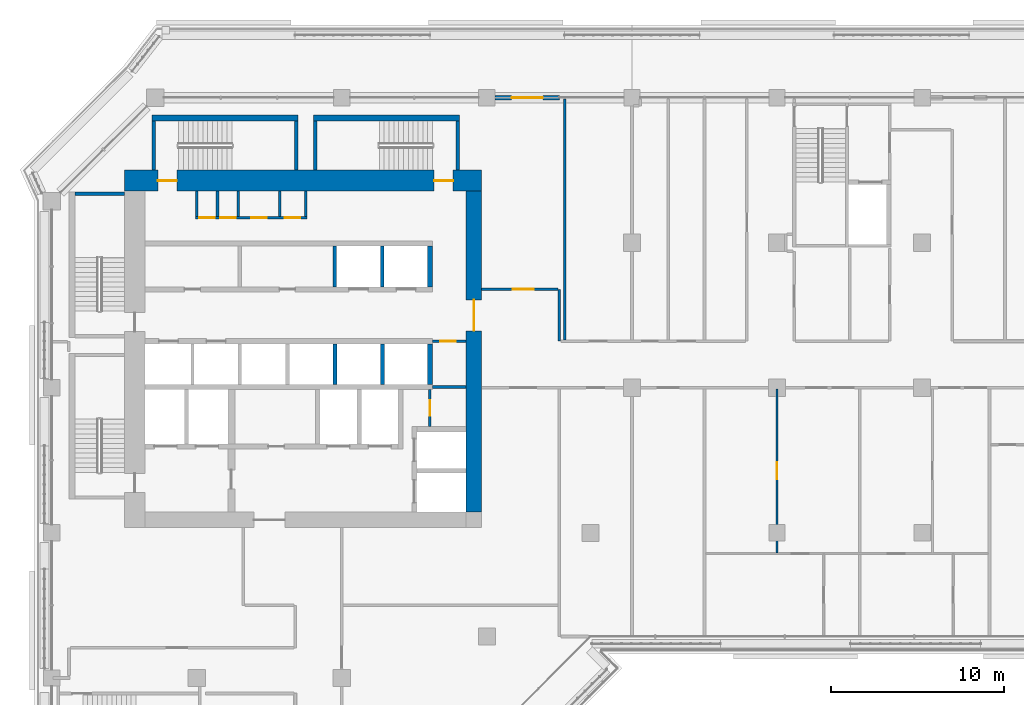
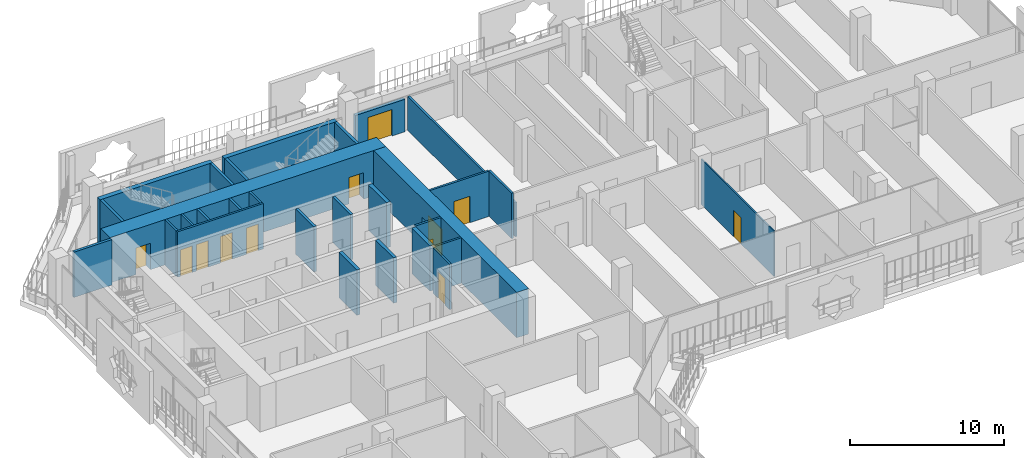
# One storey, part 12 of 22: 29 walls, 12 doors, 12 openings.
"""IFC4 building model written with IfcOpenShell, lengths in metres."""

from ifc_helpers import new_model, si_unit, direction, frame, frame_2d, origin, place, context, subcontext, project, spatial, rectangle, extrude, material, layer, layer_set, type_object, element, fill, save


model = new_model("IFC4")

# Units and contexts
model_context = context("Model", 3, precision=1e-05, world=origin(), true_north=direction((0.0, 1.0)))
body_context = subcontext(model_context, "Body", "Model", "MODEL_VIEW")
ifc_project = project(units=[si_unit("LENGTHUNIT", "METRE"), si_unit("AREAUNIT", "SQUARE_METRE"), si_unit("VOLUMEUNIT", "CUBIC_METRE"), si_unit("PLANEANGLEUNIT", "RADIAN"), si_unit("MASSUNIT", "GRAM", prefix="KILO")], contexts=[model_context])

# Site, building, storey
site_placement = place(None, origin())
site = spatial("IfcSite", under=ifc_project, at=site_placement, CompositionType="ELEMENT")
building_placement = place(site_placement, origin())
building = spatial("IfcBuilding", under=site, at=building_placement, Name="Kawkab Arch Medical Tower", CompositionType="ELEMENT")
storey_placement = place(building_placement, frame((0.0, 0.0, 183.60009765625)))
storey = spatial("IfcBuildingStorey", under=building, at=storey_placement, Name="L42", CompositionType="ELEMENT", Elevation=183.60009765625)

# Wall, openings, doors
ifc_material_1 = material(Name="Concrete C55/67", Category="concrete")
ifc_layer_1 = layer(ifc_material_1, 1.199951171875)
ifc_layer_set_1 = layer_set([ifc_layer_1], Name="Concrete C55/67")
wall_type_1 = type_object("IfcWallType", Name="Core ring wall 1200 C55/67", PredefinedType="SHEAR", material=ifc_layer_set_1)
wall_1_placement = place(storey_placement, frame((4.199951171875, -4.800048828125, 0.0), z_axis=(0.0, 0.0, 1.0), x_axis=(1.0, 0.0, 0.0)))
wall_1 = element("IfcWall", 1, at=wall_1_placement, inside=storey, type_object=wall_type_1, Name="L42 core wall", PredefinedType="SHEAR", context=body_context, shape_type="SweptSolid", body=[
    extrude(rectangle(XDim=20.699951171875, YDim=1.199951171875, at=frame_2d((10.35009765625, 0.0))), origin(), (0.0, 0.0, 1.0), 3.599853515625),
])
opening_1_placement = place(wall_1_placement, frame((1.949951171875, 0.0, 0.0)))
opening_1 = element("IfcOpeningElement", 2, at=opening_1_placement, cuts=wall_1, Name="Opening SD", PredefinedType="OPENING", context=body_context, shape_type="SweptSolid", body=[
    extrude(rectangle(XDim=1.10009765625, YDim=2.10009765625, at=frame_2d((0.550048828125, 1.050048828125))), frame((0.0, 0.60986328125, 0.0), z_axis=(0.0, -1.0, 0.0), x_axis=(1.0, 0.0, 0.0)), (0.0, 0.0, 1.0), 1.219970703125),
])
opening_2_placement = place(wall_1_placement, frame((17.949951171875, 0.0, 0.0)))
opening_2 = element("IfcOpeningElement", 3, at=opening_2_placement, cuts=wall_1, Name="Opening SD", PredefinedType="OPENING", context=body_context, shape_type="SweptSolid", body=[
    extrude(rectangle(XDim=1.10009765625, YDim=2.10009765625, at=frame_2d((0.550048828125, 1.050048828125))), frame((0.0, 0.60986328125, 0.0), z_axis=(0.0, -1.0, 0.0), x_axis=(1.0, 0.0, 0.0)), (0.0, 0.0, 1.0), 1.219970703125),
])
ifc_material_2 = material(Name="Hollow metal fire door leaf")
door_type_1 = type_object("IfcDoorType", Name="Exit stair door 1100", OperationType="SINGLE_SWING_LEFT", PredefinedType="DOOR", material=ifc_material_2)
door_1_placement = place(opening_1_placement, origin())
door_1 = element("IfcDoor", 4, at=door_1_placement, inside=storey, type_object=door_type_1, Name="L42 Exit stair ST3 door", OperationType="SINGLE_SWING_LEFT", OverallHeight=2.10009765625, OverallWidth=1.10009765625, PredefinedType="DOOR", context=body_context, shape_type="SweptSolid", body=[
    extrude(rectangle(XDim=1.10009765625, YDim=2.10009765625, at=frame_2d((0.550048828125, 1.050048828125))), frame((0.0, 0.02490234375, 0.0), z_axis=(0.0, -1.0, 0.0), x_axis=(1.0, 0.0, 0.0)), (0.0, 0.0, 1.0), 0.050048828125),
])
fill(opening_1, door_1)
door_2_placement = place(opening_2_placement, origin())
door_2 = element("IfcDoor", 5, at=door_2_placement, inside=storey, type_object=door_type_1, Name="L42 Exit stair ST4 door", OperationType="SINGLE_SWING_LEFT", OverallHeight=2.10009765625, OverallWidth=1.10009765625, PredefinedType="DOOR", context=body_context, shape_type="SweptSolid", body=[
    extrude(rectangle(XDim=1.10009765625, YDim=2.10009765625, at=frame_2d((0.550048828125, 1.050048828125))), frame((0.0, 0.02490234375, 0.0), z_axis=(0.0, -1.0, 0.0), x_axis=(1.0, 0.0, 0.0)), (0.0, 0.0, 1.0), 0.050048828125),
])
fill(opening_2, door_2)

# Wall, opening, door
ifc_material_3 = material(Name="Concrete C55/67", Category="concrete")
ifc_layer_2 = layer(ifc_material_3, 0.89990234375)
ifc_layer_set_2 = layer_set([ifc_layer_2], Name="Concrete C55/67")
wall_type_2 = type_object("IfcWallType", Name="Core ring wall 900 C55/67", PredefinedType="SHEAR", material=ifc_layer_set_2)
wall_2_placement = place(storey_placement, frame((24.449951171875, -24.0, 0.0), z_axis=(0.0, 0.0, 1.0), x_axis=(0.0, 1.0, 0.0)))
wall_2 = element("IfcWall", 6, at=wall_2_placement, inside=storey, type_object=wall_type_2, Name="L42 core wall", PredefinedType="SHEAR", context=body_context, shape_type="SweptSolid", body=[
    extrude(rectangle(XDim=18.60009765625, YDim=0.89990234375, at=frame_2d((9.300048828125, 0.0))), origin(), (0.0, 0.0, 1.0), 3.599853515625),
])
opening_3_placement = place(wall_2_placement, frame((10.5, 0.0, 0.0)))
opening_3 = element("IfcOpeningElement", 7, at=opening_3_placement, cuts=wall_2, Name="Opening PD", PredefinedType="OPENING", context=body_context, shape_type="SweptSolid", body=[
    extrude(rectangle(XDim=1.800048828125, YDim=2.10009765625, at=frame_2d((0.89990234375, 1.050048828125))), frame((0.0, 0.4599609375, 0.0), z_axis=(0.0, -1.0, 0.0), x_axis=(1.0, 0.0, 0.0)), (0.0, 0.0, 1.0), 0.919921875),
])
ifc_material_4 = material(Name="Hollow metal fire door leaf")
door_type_2 = type_object("IfcDoorType", Name="Core entrance doors 1800", OperationType="DOUBLE_DOOR_SINGLE_SWING", PredefinedType="DOOR", material=ifc_material_4)
door_3_placement = place(opening_3_placement, origin())
door_3 = element("IfcDoor", 8, at=door_3_placement, inside=storey, type_object=door_type_2, Name="L42 East entrance doors", OperationType="DOUBLE_DOOR_SINGLE_SWING", OverallHeight=2.10009765625, OverallWidth=1.800048828125, PredefinedType="DOOR", context=body_context, shape_type="SweptSolid", body=[
    extrude(rectangle(XDim=1.800048828125, YDim=2.10009765625, at=frame_2d((0.89990234375, 1.050048828125))), frame((0.0, 0.02490234375, 0.0), z_axis=(0.0, -1.0, 0.0), x_axis=(1.0, 0.0, 0.0)), (0.0, 0.0, 1.0), 0.050048828125),
])
fill(opening_3, door_3)

ifc_material_5 = material(Name="Gypsum board on steel studs", Category="steel")
ifc_layer_3 = layer(ifc_material_5, 0.14990234375)
ifc_layer_set_3 = layer_set([ifc_layer_3], Name="Gypsum board on steel studs")
wall_type_3 = type_object("IfcWallType", Name="Core room partition 150", PredefinedType="PARTITIONING", material=ifc_layer_set_3)
wall_3_placement = place(storey_placement, frame((21.89990234375, -19.050048828125, 0.0), z_axis=(0.0, 0.0, 1.0), x_axis=(0.0, 1.0, 0.0)))
wall_3 = element("IfcWall", 9, at=wall_3_placement, inside=storey, type_object=wall_type_3, Name="L42 core room partition", PredefinedType="PARTITIONING", context=body_context, shape_type="SweptSolid", body=[
    extrude(rectangle(XDim=2.150146484375, YDim=0.14990234375, at=frame_2d((1.0751953125, 0.0))), origin(), (0.0, 0.0, 1.0), 3.599853515625),
])
opening_4_placement = place(wall_3_placement, frame((0.625, 0.0, 0.0)))
opening_4 = element("IfcOpeningElement", 10, at=opening_4_placement, cuts=wall_3, Name="Opening RD", PredefinedType="OPENING", context=body_context, shape_type="SweptSolid", body=[
    extrude(rectangle(XDim=0.89990234375, YDim=2.10009765625, at=frame_2d((0.449951171875, 1.050048828125))), frame((0.0, 0.0849609375, 0.0), z_axis=(0.0, -1.0, 0.0), x_axis=(1.0, 0.0, 0.0)), (0.0, 0.0, 1.0), 0.169921875),
])
ifc_material_6 = material(Name="Hollow metal fire door leaf")
door_type_3 = type_object("IfcDoorType", Name="Core room door 900", OperationType="SINGLE_SWING_LEFT", PredefinedType="DOOR", material=ifc_material_6)
door_4_placement = place(opening_4_placement, origin())
door_4 = element("IfcDoor", 11, at=door_4_placement, inside=storey, type_object=door_type_3, Name="L42 Staff WC door", OperationType="SINGLE_SWING_LEFT", OverallHeight=2.10009765625, OverallWidth=0.89990234375, PredefinedType="DOOR", context=body_context, shape_type="SweptSolid", body=[
    extrude(rectangle(XDim=0.89990234375, YDim=2.10009765625, at=frame_2d((0.449951171875, 1.050048828125))), frame((0.0, 0.02490234375, 0.0), z_axis=(0.0, -1.0, 0.0), x_axis=(1.0, 0.0, 0.0)), (0.0, 0.0, 1.0), 0.050048828125),
])
fill(opening_4, door_4)

# Wall
wall_4_placement = place(storey_placement, frame((22.050048828125, -16.75, 0.0), z_axis=(0.0, 0.0, 1.0), x_axis=(1.0, 0.0, 0.0)))
element("IfcWall", 12, at=wall_4_placement, inside=storey, type_object=wall_type_3, Name="L42 core room partition", PredefinedType="PARTITIONING", context=body_context, shape_type="SweptSolid", body=[
    extrude(rectangle(XDim=1.949951171875, YDim=0.14990234375, at=frame_2d((0.97509765625, 0.0))), origin(), (0.0, 0.0, 1.0), 3.599853515625),
])

# Wall, opening, door
wall_5_placement = place(storey_placement, frame((22.050048828125, -14.10009765625, 0.0), z_axis=(0.0, 0.0, 1.0), x_axis=(1.0, 0.0, 0.0)))
wall_5 = element("IfcWall", 13, at=wall_5_placement, inside=storey, type_object=wall_type_3, Name="L42 core room partition", PredefinedType="PARTITIONING", context=body_context, shape_type="SweptSolid", body=[
    extrude(rectangle(XDim=1.949951171875, YDim=0.14990234375, at=frame_2d((0.97509765625, 0.0))), origin(), (0.0, 0.0, 1.0), 3.599853515625),
])
opening_5_placement = place(wall_5_placement, frame((0.449951171875, 0.0, 0.0)))
opening_5 = element("IfcOpeningElement", 14, at=opening_5_placement, cuts=wall_5, Name="Opening RD", PredefinedType="OPENING", context=body_context, shape_type="SweptSolid", body=[
    extrude(rectangle(XDim=0.89990234375, YDim=2.10009765625, at=frame_2d((0.449951171875, 1.050048828125))), frame((0.0, 0.0849609375, 0.0), z_axis=(0.0, -1.0, 0.0), x_axis=(1.0, 0.0, 0.0)), (0.0, 0.0, 1.0), 0.169921875),
])
door_5_placement = place(opening_5_placement, origin())
door_5 = element("IfcDoor", 15, at=door_5_placement, inside=storey, type_object=door_type_3, Name="L42 Medical gas plant room door", OperationType="SINGLE_SWING_LEFT", OverallHeight=2.10009765625, OverallWidth=0.89990234375, PredefinedType="DOOR", context=body_context, shape_type="SweptSolid", body=[
    extrude(rectangle(XDim=0.89990234375, YDim=2.10009765625, at=frame_2d((0.449951171875, 1.050048828125))), frame((0.0, 0.02490234375, 0.0), z_axis=(0.0, -1.0, 0.0), x_axis=(1.0, 0.0, 0.0)), (0.0, 0.0, 1.0), 0.050048828125),
])
fill(opening_5, door_5)

# Wall, openings, doors
wall_6_placement = place(storey_placement, frame((8.324951171875, -6.949951171875, 0.0), z_axis=(0.0, 0.0, 1.0), x_axis=(1.0, 0.0, 0.0)))
wall_6 = element("IfcWall", 16, at=wall_6_placement, inside=storey, type_object=wall_type_3, Name="L42 core room partition", PredefinedType="PARTITIONING", context=body_context, shape_type="SweptSolid", body=[
    extrude(rectangle(XDim=6.449951171875, YDim=0.14990234375, at=frame_2d((3.22509765625, 0.0))), origin(), (0.0, 0.0, 1.0), 3.599853515625),
])
opening_6_placement = place(wall_6_placement, frame((0.22509765625, 0.0, 0.0)))
opening_6 = element("IfcOpeningElement", 17, at=opening_6_placement, cuts=wall_6, Name="Opening RD", PredefinedType="OPENING", context=body_context, shape_type="SweptSolid", body=[
    extrude(rectangle(XDim=0.89990234375, YDim=2.10009765625, at=frame_2d((0.449951171875, 1.050048828125))), frame((0.0, 0.0849609375, 0.0), z_axis=(0.0, -1.0, 0.0), x_axis=(1.0, 0.0, 0.0)), (0.0, 0.0, 1.0), 0.169921875),
])
opening_7_placement = place(wall_6_placement, frame((1.425048828125, 0.0, 0.0)))
opening_7 = element("IfcOpeningElement", 18, at=opening_7_placement, cuts=wall_6, Name="Opening RD", PredefinedType="OPENING", context=body_context, shape_type="SweptSolid", body=[
    extrude(rectangle(XDim=0.89990234375, YDim=2.10009765625, at=frame_2d((0.449951171875, 1.050048828125))), frame((0.0, 0.0849609375, 0.0), z_axis=(0.0, -1.0, 0.0), x_axis=(1.0, 0.0, 0.0)), (0.0, 0.0, 1.0), 0.169921875),
])
opening_8_placement = place(wall_6_placement, frame((3.22509765625, 0.0, 0.0)))
opening_8 = element("IfcOpeningElement", 19, at=opening_8_placement, cuts=wall_6, Name="Opening RD", PredefinedType="OPENING", context=body_context, shape_type="SweptSolid", body=[
    extrude(rectangle(XDim=0.89990234375, YDim=2.10009765625, at=frame_2d((0.449951171875, 1.050048828125))), frame((0.0, 0.0849609375, 0.0), z_axis=(0.0, -1.0, 0.0), x_axis=(1.0, 0.0, 0.0)), (0.0, 0.0, 1.0), 0.169921875),
])
opening_9_placement = place(wall_6_placement, frame((5.175048828125, 0.0, 0.0)))
opening_9 = element("IfcOpeningElement", 20, at=opening_9_placement, cuts=wall_6, Name="Opening RD", PredefinedType="OPENING", context=body_context, shape_type="SweptSolid", body=[
    extrude(rectangle(XDim=0.89990234375, YDim=2.10009765625, at=frame_2d((0.449951171875, 1.050048828125))), frame((0.0, 0.0849609375, 0.0), z_axis=(0.0, -1.0, 0.0), x_axis=(1.0, 0.0, 0.0)), (0.0, 0.0, 1.0), 0.169921875),
])
door_6_placement = place(opening_6_placement, origin())
door_6 = element("IfcDoor", 21, at=door_6_placement, inside=storey, type_object=door_type_3, Name="L42 Electrical riser room door", OperationType="SINGLE_SWING_LEFT", OverallHeight=2.10009765625, OverallWidth=0.89990234375, PredefinedType="DOOR", context=body_context, shape_type="SweptSolid", body=[
    extrude(rectangle(XDim=0.89990234375, YDim=2.10009765625, at=frame_2d((0.449951171875, 1.050048828125))), frame((0.0, 0.02490234375, 0.0), z_axis=(0.0, -1.0, 0.0), x_axis=(1.0, 0.0, 0.0)), (0.0, 0.0, 1.0), 0.050048828125),
])
fill(opening_6, door_6)
door_7_placement = place(opening_7_placement, origin())
door_7 = element("IfcDoor", 22, at=door_7_placement, inside=storey, type_object=door_type_3, Name="L42 Medication store door", OperationType="SINGLE_SWING_LEFT", OverallHeight=2.10009765625, OverallWidth=0.89990234375, PredefinedType="DOOR", context=body_context, shape_type="SweptSolid", body=[
    extrude(rectangle(XDim=0.89990234375, YDim=2.10009765625, at=frame_2d((0.449951171875, 1.050048828125))), frame((0.0, 0.02490234375, 0.0), z_axis=(0.0, -1.0, 0.0), x_axis=(1.0, 0.0, 0.0)), (0.0, 0.0, 1.0), 0.050048828125),
])
fill(opening_7, door_7)
door_8_placement = place(opening_8_placement, origin())
door_8 = element("IfcDoor", 23, at=door_8_placement, inside=storey, type_object=door_type_3, Name="L42 Clean utility room door", OperationType="SINGLE_SWING_LEFT", OverallHeight=2.10009765625, OverallWidth=0.89990234375, PredefinedType="DOOR", context=body_context, shape_type="SweptSolid", body=[
    extrude(rectangle(XDim=0.89990234375, YDim=2.10009765625, at=frame_2d((0.449951171875, 1.050048828125))), frame((0.0, 0.02490234375, 0.0), z_axis=(0.0, -1.0, 0.0), x_axis=(1.0, 0.0, 0.0)), (0.0, 0.0, 1.0), 0.050048828125),
])
fill(opening_8, door_8)
door_9_placement = place(opening_9_placement, origin())
door_9 = element("IfcDoor", 24, at=door_9_placement, inside=storey, type_object=door_type_3, Name="L42 Dirty utility room door", OperationType="SINGLE_SWING_LEFT", OverallHeight=2.10009765625, OverallWidth=0.89990234375, PredefinedType="DOOR", context=body_context, shape_type="SweptSolid", body=[
    extrude(rectangle(XDim=0.89990234375, YDim=2.10009765625, at=frame_2d((0.449951171875, 1.050048828125))), frame((0.0, 0.02490234375, 0.0), z_axis=(0.0, -1.0, 0.0), x_axis=(1.0, 0.0, 0.0)), (0.0, 0.0, 1.0), 0.050048828125),
])
fill(opening_9, door_9)

# Walls
for number, where, z_axis, x_axis, name in (
    (25, (8.39990234375, -6.875, 0.0), (0.0, 0.0, 1.0), (0.0, 1.0, 0.0), "L42 core room partition"),
    (26, (9.60009765625, -6.875, 0.0), (0.0, 0.0, 1.0), (0.0, 1.0, 0.0), "L42 core room partition"),
    (27, (10.800048828125, -6.875, 0.0), (0.0, 0.0, 1.0), (0.0, 1.0, 0.0), "L42 core room partition"),
    (28, (13.199951171875, -6.875, 0.0), (0.0, 0.0, 1.0), (0.0, 1.0, 0.0), "L42 core room partition"),
    (29, (14.699951171875, -6.875, 0.0), (0.0, 0.0, 1.0), (0.0, 1.0, 0.0), "L42 core room partition"),
):
    element("IfcWall", number, at=place(storey_placement, frame(where, z_axis=z_axis, x_axis=x_axis)), inside=storey, type_object=wall_type_3, Name=name, PredefinedType="PARTITIONING", context=body_context, shape_type="SweptSolid", body=[
        extrude(rectangle(XDim=1.47509765625, YDim=0.14990234375, at=frame_2d((0.737548828125, 0.0))), origin(), (0.0, 0.0, 1.0), 3.599853515625),
    ])
ifc_material_7 = material(Name="Concrete C60/75", Category="concrete")
ifc_layer_4 = layer(ifc_material_7, 0.25)
ifc_layer_set_4 = layer_set([ifc_layer_4], Name="Concrete C60/75")
wall_type_4 = type_object("IfcWallType", Name="Core shear wall 250 C60/75", PredefinedType="SHEAR", material=ifc_layer_set_4)
for number, where, z_axis, x_axis, name in (
    (30, (16.39990234375, -16.60009765625, 0.0), (0.0, 0.0, 1.0), (0.0, 1.0, 0.0), "L42 core shear wall"),
    (31, (19.14990234375, -16.60009765625, 0.0), (0.0, 0.0, 1.0), (0.0, 1.0, 0.0), "L42 core shear wall"),
):
    element("IfcWall", number, at=place(storey_placement, frame(where, z_axis=z_axis, x_axis=x_axis)), inside=storey, type_object=wall_type_4, Name=name, PredefinedType="SHEAR", context=body_context, shape_type="SweptSolid", body=[
        extrude(rectangle(XDim=2.35009765625, YDim=0.25, at=frame_2d((1.175048828125, 0.0))), origin(), (0.0, 0.0, 1.0), 3.599853515625),
    ])
ifc_material_8 = material(Name="Concrete C60/75", Category="concrete")
ifc_layer_5 = layer(ifc_material_8, 0.300048828125)
ifc_layer_set_5 = layer_set([ifc_layer_5], Name="Concrete C60/75")
wall_type_5 = type_object("IfcWallType", Name="Core shear wall 300 C60/75", PredefinedType="SHEAR", material=ifc_layer_set_5)
wall_7_placement = place(storey_placement, frame((21.89990234375, -10.949951171875, 0.0), z_axis=(0.0, 0.0, 1.0), x_axis=(0.0, 1.0, 0.0)))
element("IfcWall", 32, at=wall_7_placement, inside=storey, type_object=wall_type_5, Name="L42 core shear wall", PredefinedType="SHEAR", context=body_context, shape_type="SweptSolid", body=[
    extrude(rectangle(XDim=2.349853515625, YDim=0.300048828125, at=frame_2d((1.1748046875, 0.0))), origin(), (0.0, 0.0, 1.0), 3.599853515625),
])
wall_8_placement = place(storey_placement, frame((21.89990234375, -16.60009765625, 0.0), z_axis=(0.0, 0.0, 1.0), x_axis=(0.0, 1.0, 0.0)))
element("IfcWall", 33, at=wall_8_placement, inside=storey, type_object=wall_type_5, Name="L42 core shear wall", PredefinedType="SHEAR", context=body_context, shape_type="SweptSolid", body=[
    extrude(rectangle(XDim=2.35009765625, YDim=0.300048828125, at=frame_2d((1.175048828125, 0.0))), origin(), (0.0, 0.0, 1.0), 3.599853515625),
])

# Wall, opening, door
ifc_material_9 = material(Name="Bronze clad insulated wall panel")
ifc_layer_6 = layer(ifc_material_9, 0.25)
ifc_layer_set_6 = layer_set([ifc_layer_6], Name="Bronze clad insulated wall panel")
wall_type_6 = type_object("IfcWallType", Name="External wall bay 250", PredefinedType="SOLIDWALL", material=ifc_layer_set_6)
wall_9_placement = place(storey_placement, frame((29.39990234375, 0.0, 0.0), z_axis=(0.0, 0.0, 1.0), x_axis=(-1.0, 0.0, 0.0)))
wall_9 = element("IfcWall", 34, at=wall_9_placement, inside=storey, type_object=wall_type_6, Name="External wall bay L42.R11.4.2", PredefinedType="SOLIDWALL", context=body_context, shape_type="SweptSolid", body=[
    extrude(rectangle(XDim=3.724853515625, YDim=0.25, at=frame_2d((1.8623046875, 0.0))), origin(), (0.0, 0.0, 1.0), 2.579833984375),
])
opening_10_placement = place(wall_9_placement, frame((0.96240234375, 0.0, 0.0)))
opening_10 = element("IfcOpeningElement", 35, at=opening_10_placement, cuts=wall_9, Name="Opening W42-701", PredefinedType="OPENING", context=body_context, shape_type="SweptSolid", body=[
    extrude(rectangle(XDim=1.800048828125, YDim=2.10009765625, at=frame_2d((0.89990234375, 1.050048828125))), frame((0.0, 0.135009765625, 0.0), z_axis=(0.0, -1.0, 0.0), x_axis=(1.0, 0.0, 0.0)), (0.0, 0.0, 1.0), 0.27001953125),
])
ifc_material_10 = material(Name="Bronze anodised aluminium door with tinted glass", Category="aluminium")
door_type_4 = type_object("IfcDoorType", Name="Double external door 1800 x 2100", OperationType="DOUBLE_DOOR_SINGLE_SWING", PredefinedType="DOOR", material=ifc_material_10)
door_10_placement = place(opening_10_placement, origin())
door_10 = element("IfcDoor", 36, at=door_10_placement, inside=storey, type_object=door_type_4, Name="External door L42.R11.4.2", OperationType="DOUBLE_DOOR_SINGLE_SWING", OverallHeight=2.10009765625, OverallWidth=1.800048828125, PredefinedType="DOOR", context=body_context, shape_type="SweptSolid", body=[
    extrude(rectangle(XDim=1.800048828125, YDim=2.10009765625, at=frame_2d((0.89990234375, 1.050048828125))), frame((0.0, 0.02490234375, 0.0), z_axis=(0.0, -1.0, 0.0), x_axis=(1.0, 0.0, 0.0)), (0.0, 0.0, 1.0), 0.050048828125),
])
fill(opening_10, door_10)

# Walls
ifc_material_11 = material(Name="Dense concrete blockwork", Category="masonry")
ifc_layer_7 = layer(ifc_material_11, 0.199951171875)
ifc_layer_set_7 = layer_set([ifc_layer_7], Name="Dense concrete blockwork")
wall_type_7 = type_object("IfcWallType", Name="Lift shaft partition 200", PredefinedType="PARTITIONING", material=ifc_layer_set_7)
for number, where, z_axis, x_axis, name in (
    (37, (16.39990234375, -10.949951171875, 0.0), (0.0, 0.0, 1.0), (0.0, 1.0, 0.0), "L42 lift shaft partition"),
    (38, (19.14990234375, -10.949951171875, 0.0), (0.0, 0.0, 1.0), (0.0, 1.0, 0.0), "L42 lift shaft partition"),
):
    element("IfcWall", number, at=place(storey_placement, frame(where, z_axis=z_axis, x_axis=x_axis)), inside=storey, type_object=wall_type_7, Name=name, PredefinedType="PARTITIONING", context=body_context, shape_type="SweptSolid", body=[
        extrude(rectangle(XDim=2.349853515625, YDim=0.199951171875, at=frame_2d((1.1748046875, 0.0))), origin(), (0.0, 0.0, 1.0), 3.599853515625),
    ])

# Wall, opening, door
ifc_material_12 = material(Name="Gypsum board partition on steel studs", Category="steel")
ifc_layer_8 = layer(ifc_material_12, 0.10009765625)
ifc_layer_set_8 = layer_set([ifc_layer_8], Name="Gypsum board partition on steel studs")
wall_type_8 = type_object("IfcWallType", Name="Partition 100", PredefinedType="PARTITIONING", material=ifc_layer_set_8)
wall_10_placement = place(storey_placement, frame((42.0, -26.35009765625, 0.0), z_axis=(0.0, 0.0, 1.0), x_axis=(0.0, 1.0, 0.0)))
wall_10 = element("IfcWall", 39, at=wall_10_placement, inside=storey, type_object=wall_type_8, Name="Partition 100 w006", PredefinedType="PARTITIONING", context=body_context, shape_type="SweptSolid", body=[
    extrude(rectangle(XDim=9.47509765625, YDim=0.10009765625, at=frame_2d((4.737548828125, 0.0))), origin(), (0.0, 0.0, 1.0), 3.599853515625),
])
opening_11_placement = place(wall_10_placement, frame((4.25, 0.0, 0.0)))
opening_11 = element("IfcOpeningElement", 40, at=opening_11_placement, cuts=wall_10, Name="Opening W42-013", PredefinedType="OPENING", context=body_context, shape_type="SweptSolid", body=[
    extrude(rectangle(XDim=1.0, YDim=2.10009765625, at=frame_2d((0.5, 1.050048828125))), frame((0.0, 0.06005859375, 0.0), z_axis=(0.0, -1.0, 0.0), x_axis=(1.0, 0.0, 0.0)), (0.0, 0.0, 1.0), 0.1201171875),
])
ifc_material_13 = material(Name="Timber door leaf", Category="wood")
door_type_5 = type_object("IfcDoorType", Name="Single door 1000x2100", OperationType="NOTDEFINED", PredefinedType="DOOR", material=ifc_material_13)
door_11_placement = place(opening_11_placement, origin())
door_11 = element("IfcDoor", 41, at=door_11_placement, inside=storey, type_object=door_type_5, Name="Door W42-013", OperationType="SINGLE_SWING_LEFT", OverallHeight=2.10009765625, OverallWidth=1.0, PredefinedType="DOOR", context=body_context, shape_type="SweptSolid", body=[
    extrude(rectangle(XDim=1.0, YDim=2.10009765625, at=frame_2d((0.5, 1.050048828125))), frame((0.0, 0.02490234375, 0.0), z_axis=(0.0, -1.0, 0.0), x_axis=(1.0, 0.0, 0.0)), (0.0, 0.0, 1.0), 0.050048828125),
])
fill(opening_11, door_11)

ifc_material_14 = material(Name="Gypsum board partition on steel studs, mineral wool", Category="steel")
ifc_layer_9 = layer(ifc_material_14, 0.14990234375)
ifc_layer_set_9 = layer_set([ifc_layer_9], Name="Gypsum board partition on steel studs, mineral wool")
wall_type_9 = type_object("IfcWallType", Name="Partition 150", PredefinedType="PARTITIONING", material=ifc_layer_set_9)
wall_11_placement = place(storey_placement, frame((24.89990234375, -11.10009765625, 0.0), z_axis=(0.0, 0.0, 1.0), x_axis=(1.0, 0.0, 0.0)))
wall_11 = element("IfcWall", 42, at=wall_11_placement, inside=storey, type_object=wall_type_9, Name="Partition 150 w027", PredefinedType="PARTITIONING", context=body_context, shape_type="SweptSolid", body=[
    extrude(rectangle(XDim=4.424072265625, YDim=0.14990234375, at=frame_2d((2.2119140625, 0.0))), origin(), (0.0, 0.0, 1.0), 3.599853515625),
])
opening_12_placement = place(wall_11_placement, frame((1.800048828125, 0.0, 0.0)))
opening_12 = element("IfcOpeningElement", 43, at=opening_12_placement, cuts=wall_11, Name="Opening W42-026", PredefinedType="OPENING", context=body_context, shape_type="SweptSolid", body=[
    extrude(rectangle(XDim=1.199951171875, YDim=2.10009765625, at=frame_2d((0.60009765625, 1.050048828125))), frame((0.0, 0.0849609375, 0.0), z_axis=(0.0, -1.0, 0.0), x_axis=(1.0, 0.0, 0.0)), (0.0, 0.0, 1.0), 0.169921875),
])
ifc_material_15 = material(Name="Hollow metal door leaf")
door_type_6 = type_object("IfcDoorType", Name="Single door 1200x2100 FD30S", OperationType="NOTDEFINED", PredefinedType="DOOR", material=ifc_material_15)
door_12_placement = place(opening_12_placement, origin())
door_12 = element("IfcDoor", 44, at=door_12_placement, inside=storey, type_object=door_type_6, Name="Door W42-026", OperationType="SINGLE_SWING_LEFT", OverallHeight=2.10009765625, OverallWidth=1.199951171875, PredefinedType="DOOR", context=body_context, shape_type="SweptSolid", body=[
    extrude(rectangle(XDim=1.199951171875, YDim=2.10009765625, at=frame_2d((0.60009765625, 1.050048828125))), frame((0.0, 0.02490234375, 0.0), z_axis=(0.0, -1.0, 0.0), x_axis=(1.0, 0.0, 0.0)), (0.0, 0.0, 1.0), 0.050048828125),
])
fill(opening_12, door_12)

# Walls
wall_12_placement = place(storey_placement, frame((29.39990234375, -14.10009765625, 0.0), z_axis=(0.0, 0.0, 1.0), x_axis=(0.0, 1.0, 0.0)))
element("IfcWall", 45, at=wall_12_placement, inside=storey, type_object=wall_type_9, Name="Partition 150 w041", PredefinedType="PARTITIONING", context=body_context, shape_type="SweptSolid", body=[
    extrude(rectangle(XDim=2.998046875, YDim=0.14990234375, at=frame_2d((1.4990234375, 0.0))), origin(), (0.0, 0.0, 1.0), 3.599853515625),
])
wall_13_placement = place(storey_placement, frame((29.699951171875, -14.02490234375, 0.0), z_axis=(0.0, 0.0, 1.0), x_axis=(0.0, 1.0, 0.0)))
element("IfcWall", 46, at=wall_13_placement, inside=storey, type_object=wall_type_9, Name="Partition 150 w042", PredefinedType="PARTITIONING", context=body_context, shape_type="SweptSolid", body=[
    extrude(rectangle(XDim=13.94482421875, YDim=0.14990234375, at=frame_2d((6.972412109375, 0.0))), origin(), (0.0, 0.0, 1.0), 2.699951171875),
])
ifc_material_16 = material(Name="Concrete C50/60", Category="concrete")
ifc_layer_10 = layer(ifc_material_16, 0.199951171875)
ifc_layer_set_10 = layer_set([ifc_layer_10], Name="Concrete C50/60")
wall_type_10 = type_object("IfcWallType", Name="Stair enclosure wall 200 C50/60", PredefinedType="SHEAR", material=ifc_layer_set_10)
for number, where, z_axis, x_axis, name in (
    (47, (1.35009765625, -5.550048828125, 0.0), (0.0, 0.0, 1.0), (1.0, 0.0, 0.0), "L42 stair enclosure wall"),
    (48, (5.89990234375, -4.199951171875, 0.0), (0.0, 0.0, 1.0), (0.0, 1.0, 0.0), "L42 stair enclosure wall"),
    (49, (14.14990234375, -4.199951171875, 0.0), (0.0, 0.0, 1.0), (0.0, 1.0, 0.0), "L42 stair enclosure wall"),
    (50, (15.25, -4.199951171875, 0.0), (0.0, 0.0, 1.0), (0.0, 1.0, 0.0), "L42 stair enclosure wall"),
    (51, (23.5, -4.199951171875, 0.0), (0.0, 0.0, 1.0), (0.0, 1.0, 0.0), "L42 stair enclosure wall"),
):
    element("IfcWall", number, at=place(storey_placement, frame(where, z_axis=z_axis, x_axis=x_axis)), inside=storey, type_object=wall_type_10, Name=name, PredefinedType="SHEAR", context=body_context, shape_type="SweptSolid", body=[
        extrude(rectangle(XDim=2.849853515625, YDim=0.199951171875, at=frame_2d((1.4248046875, 0.0))), origin(), (0.0, 0.0, 1.0), 3.599853515625),
    ])
ifc_material_17 = material(Name="Concrete C50/60", Category="concrete")
ifc_layer_11 = layer(ifc_material_17, 0.35009765625)
ifc_layer_set_11 = layer_set([ifc_layer_11], Name="Concrete C50/60")
wall_type_11 = type_object("IfcWallType", Name="Stair enclosure wall 350 C50/60", PredefinedType="SHEAR", material=ifc_layer_set_11)
wall_14_placement = place(storey_placement, frame((5.800048828125, -1.175048828125, 0.0), z_axis=(0.0, 0.0, 1.0), x_axis=(1.0, 0.0, 0.0)))
element("IfcWall", 52, at=wall_14_placement, inside=storey, type_object=wall_type_11, Name="L42 stair enclosure wall", PredefinedType="SHEAR", context=body_context, shape_type="SweptSolid", body=[
    extrude(rectangle(XDim=8.449951171875, YDim=0.35009765625, at=frame_2d((4.22509765625, 0.0))), origin(), (0.0, 0.0, 1.0), 3.599853515625),
])
wall_15_placement = place(storey_placement, frame((15.14990234375, -1.175048828125, 0.0), z_axis=(0.0, 0.0, 1.0), x_axis=(1.0, 0.0, 0.0)))
element("IfcWall", 53, at=wall_15_placement, inside=storey, type_object=wall_type_11, Name="L42 stair enclosure wall", PredefinedType="SHEAR", context=body_context, shape_type="SweptSolid", body=[
    extrude(rectangle(XDim=8.4501953125, YDim=0.35009765625, at=frame_2d((4.22509765625, 0.0))), origin(), (0.0, 0.0, 1.0), 3.599853515625),
])

save(model, "model.ifc")
